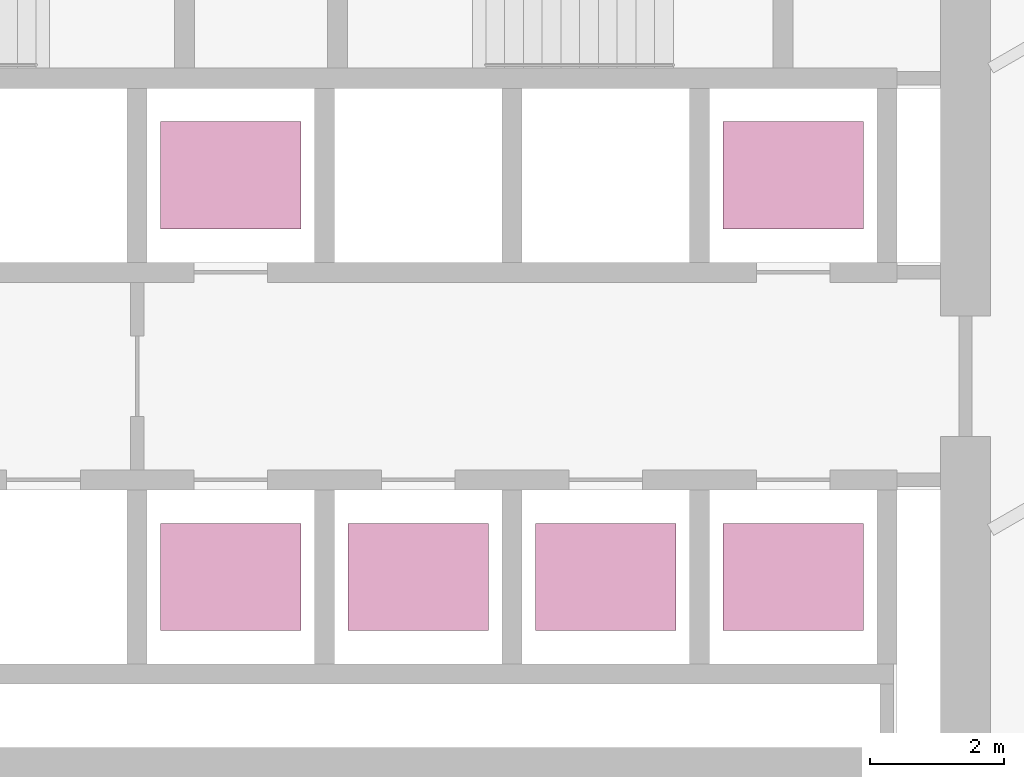
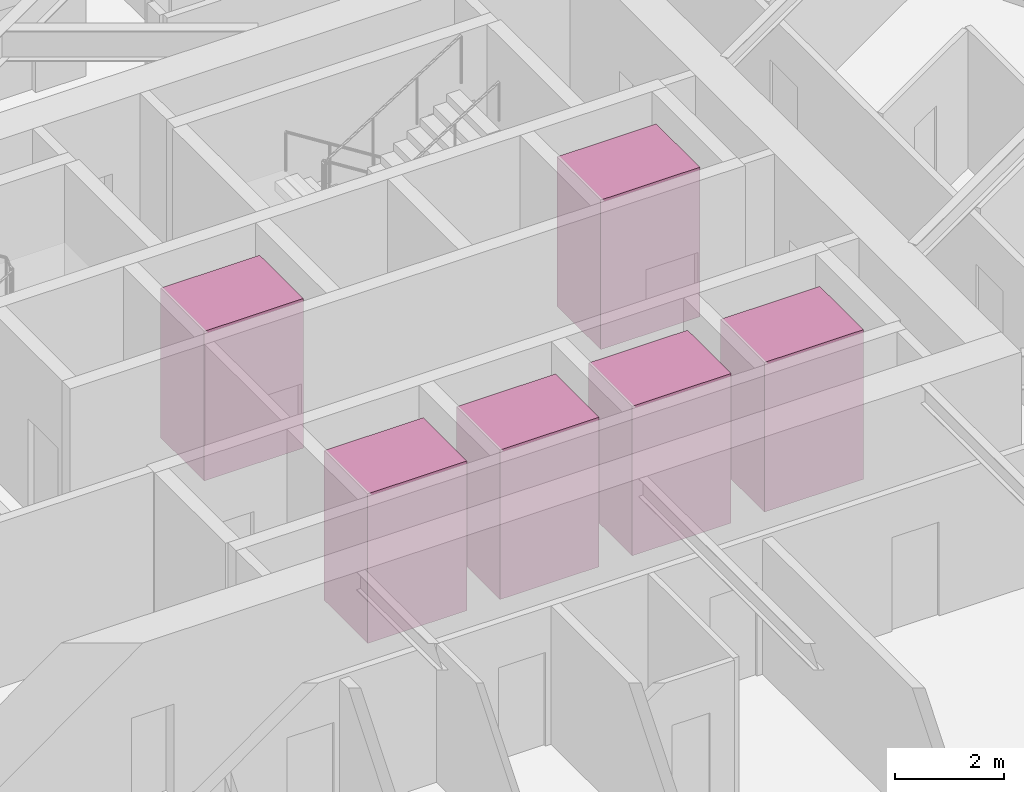
# One storey, part 24 of 24: 6 transport elements.
"""IFC4 building model written with IfcOpenShell, lengths in metres."""

from ifc_helpers import new_model, si_unit, direction, frame, origin, origin_2d, place, context, subcontext, project, spatial, rectangle, extrude, material, type_object, element, save


model = new_model("IFC4")

# Units and contexts
model_context = context("Model", 3, precision=1e-05, world=origin(), true_north=direction((0.0, 1.0)))
body_context = subcontext(model_context, "Body", "Model", "MODEL_VIEW")
ifc_project = project(units=[si_unit("LENGTHUNIT", "METRE"), si_unit("AREAUNIT", "SQUARE_METRE"), si_unit("VOLUMEUNIT", "CUBIC_METRE"), si_unit("PLANEANGLEUNIT", "RADIAN"), si_unit("MASSUNIT", "GRAM", prefix="KILO")], contexts=[model_context])

# Site, building, storey
site_placement = place(None, origin())
site = spatial("IfcSite", under=ifc_project, at=site_placement, CompositionType="ELEMENT")
building_placement = place(site_placement, origin())
building = spatial("IfcBuilding", under=site, at=building_placement, Name="Firuza Gate Tower and Library", CompositionType="ELEMENT")
storey_placement = place(building_placement, frame((0.0, 0.0, 171.39990234375)))
storey = spatial("IfcBuildingStorey", under=building, at=storey_placement, Name="L39", CompositionType="ELEMENT", Elevation=171.39990234375)

# Transport elements
ifc_material = material(Name="Stainless steel and glass", Category="steel")
transport_element_type = type_object("IfcTransportElementType", Name="Mid-rise lift car 2100x1600", PredefinedType="ELEVATOR", material=ifc_material)
for number, where, z_axis, x_axis, name in (
    (1, (74.64990234375, 70.300048828125, 0.0), (0.0, 0.0, 1.0), (1.0, 0.0, 0.0), "Mid-rise lift MR1"),
    (2, (77.449951171875, 70.300048828125, 0.0), (0.0, 0.0, 1.0), (1.0, 0.0, 0.0), "Mid-rise lift MR2"),
    (3, (80.25, 70.300048828125, 0.0), (0.0, 0.0, 1.0), (1.0, 0.0, 0.0), "Mid-rise lift MR3"),
    (4, (74.64990234375, 76.300048828125, 0.0), (0.0, 0.0, 1.0), (1.0, 0.0, 0.0), "Mid-rise lift MR4"),
    (5, (83.050048828125, 70.300048828125, 0.0), (0.0, 0.0, 1.0), (1.0, 0.0, 0.0), "Mid-rise lift MR5"),
    (6, (83.050048828125, 76.300048828125, 0.0), (0.0, 0.0, 1.0), (1.0, 0.0, 0.0), "Mid-rise lift MR6"),
):
    element("IfcTransportElement", number, at=place(storey_placement, frame(where, z_axis=z_axis, x_axis=x_axis)), inside=storey, type_object=transport_element_type, Name=name, PredefinedType="ELEVATOR", context=body_context, shape_type="SweptSolid", body=[
        extrude(rectangle(XDim=2.10009765625, YDim=1.60009765625, at=origin_2d()), origin(), (0.0, 0.0, 1.0), 3.35009765625),
    ])

save(model, "model.ifc")
